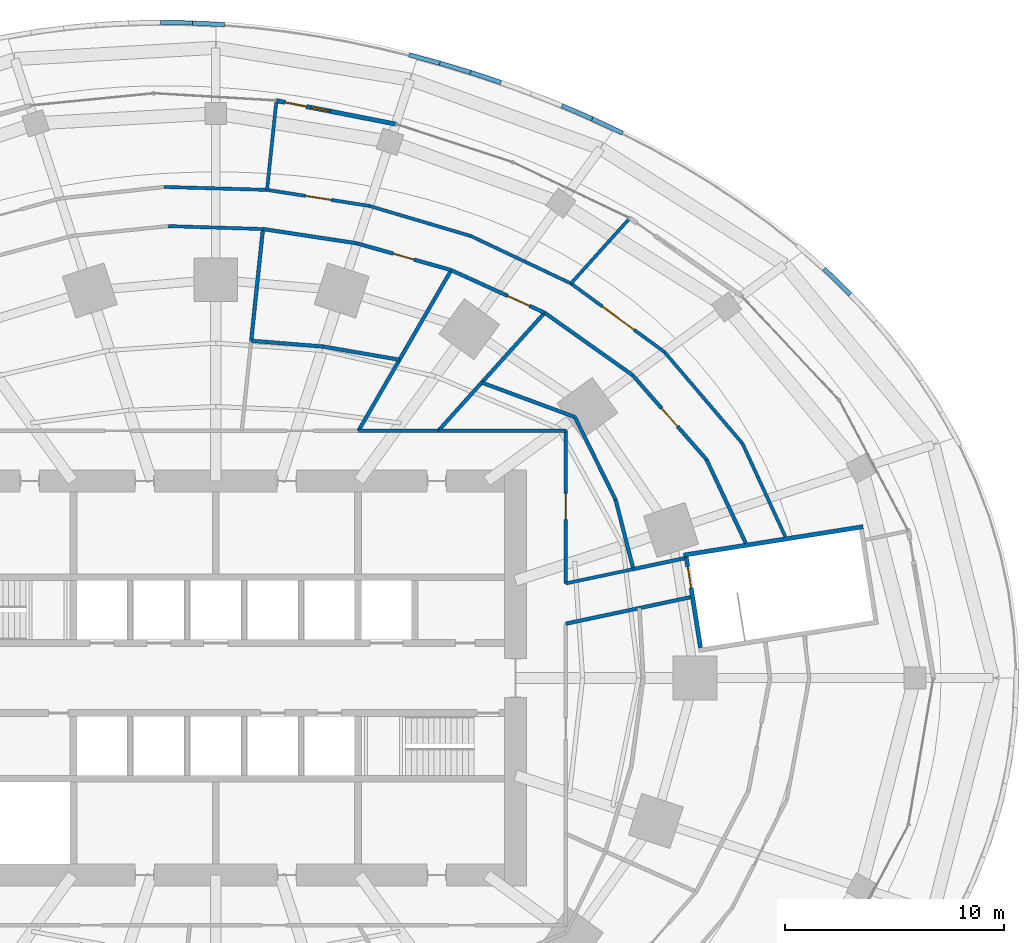
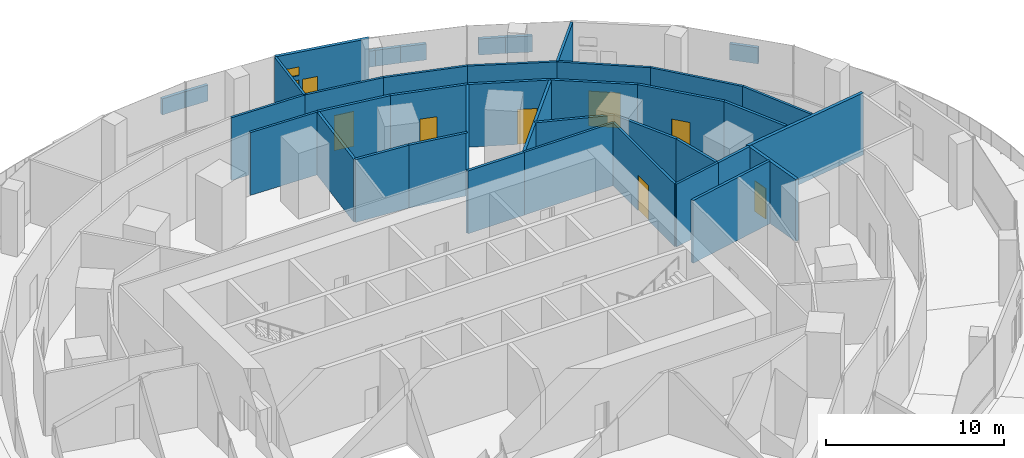
# One storey, part 21 of 26: 41 walls, 8 doors, 2 windows, 10 openings.
"""IFC4 building model written with IfcOpenShell, lengths in metres."""

from ifc_helpers import new_model, si_unit, direction, frame, frame_2d, origin, place, context, subcontext, project, spatial, rectangle, extrude, material, layer, layer_set, type_object, element, fill, save


model = new_model("IFC4")

# Units and contexts
model_context = context("Model", 3, precision=1e-05, world=origin(), true_north=direction((0.0, 1.0)))
body_context = subcontext(model_context, "Body", "Model", "MODEL_VIEW")
ifc_project = project(units=[si_unit("LENGTHUNIT", "METRE"), si_unit("AREAUNIT", "SQUARE_METRE"), si_unit("VOLUMEUNIT", "CUBIC_METRE"), si_unit("PLANEANGLEUNIT", "RADIAN"), si_unit("MASSUNIT", "GRAM", prefix="KILO")], contexts=[model_context])

# Site, building, storey
site_placement = place(None, origin())
site = spatial("IfcSite", under=ifc_project, at=site_placement, CompositionType="ELEMENT")
building_placement = place(site_placement, origin())
building = spatial("IfcBuilding", under=site, at=building_placement, Name="Marramba Exchange Tower", CompositionType="ELEMENT")
storey_placement = place(building_placement, frame((0.0, 0.0, 15.10009765625)))
storey = spatial("IfcBuildingStorey", under=building, at=storey_placement, Name="L03", CompositionType="ELEMENT", Elevation=15.10009765625)

# Walls
ifc_material_1 = material(Name="Plasterboard on staggered double steel studs, acoustic insulation", Category="steel")
ifc_layer_1 = layer(ifc_material_1, 0.169921875)
ifc_layer_set_1 = layer_set([ifc_layer_1], Name="Acoustic partition 170")
wall_type_1 = type_object("IfcWallType", Name="Acoustic partition 170", PredefinedType="PARTITIONING", material=ifc_layer_set_1)
wall_1_placement = place(storey_placement, frame((16.0, 2.480712890625, 0.0), z_axis=(0.0, 0.0, 1.0), x_axis=(0.978144448143, 0.207926522038, 0.0)))
element("IfcWall", 1, at=wall_1_placement, inside=storey, type_object=wall_type_1, Name="Acoustic partition L03 59", PredefinedType="PARTITIONING", context=body_context, shape_type="SweptSolid", body=[
    extrude(rectangle(XDim=5.81689453125, YDim=0.169921875, at=frame_2d((2.908447265625, 0.0))), origin(), (0.0, 0.0, 1.0), 4.2998046875),
])
wall_2_placement = place(storey_placement, frame((21.40771484375, 5.470458984375, 0.0), z_axis=(0.0, 0.0, 1.0), x_axis=(-0.978137955861, -0.207957061204, 0.0)))
element("IfcWall", 2, at=wall_2_placement, inside=storey, type_object=wall_type_1, Name="Acoustic partition L03 61", PredefinedType="PARTITIONING", context=body_context, shape_type="SweptSolid", body=[
    extrude(rectangle(XDim=2.376220703125, YDim=0.169921875, at=frame_2d((1.18798828125, 0.0))), origin(), (0.0, 0.0, 1.0), 4.2998046875),
])
wall_3_placement = place(storey_placement, frame((22.425537109375, 9.984619140625, 0.0), z_axis=(0.0, 0.0, 1.0), x_axis=(0.425473889508, -0.904970700822, 0.0)))
element("IfcWall", 3, at=wall_3_placement, inside=storey, type_object=wall_type_1, Name="Acoustic partition L03 64", PredefinedType="PARTITIONING", context=body_context, shape_type="SweptSolid", body=[
    extrude(rectangle(XDim=4.220947265625, YDim=0.169921875, at=frame_2d((2.1103515625, 0.0))), origin(), (0.0, 0.0, 1.0), 4.2998046875),
])
wall_4_placement = place(storey_placement, frame((18.27587890625, 8.136962890625, 0.0), z_axis=(0.0, 0.0, 1.0), x_axis=(0.247568605717, -0.968870365665, 0.0)))
element("IfcWall", 4, at=wall_4_placement, inside=storey, type_object=wall_type_1, Name="Acoustic partition L03 65", PredefinedType="PARTITIONING", context=body_context, shape_type="SweptSolid", body=[
    extrude(rectangle(XDim=3.26220703125, YDim=0.169921875, at=frame_2d((1.631103515625, 0.0))), origin(), (0.0, 0.0, 1.0), 4.2998046875),
])

# Wall, opening, door
wall_5_placement = place(storey_placement, frame((19.04931640625, 13.840087890625, 0.0), z_axis=(0.0, 0.0, 1.0), x_axis=(0.658801352576, -0.752316939756, 0.0)))
wall_5 = element("IfcWall", 5, at=wall_5_placement, inside=storey, type_object=wall_type_1, Name="Acoustic partition L03 67", PredefinedType="PARTITIONING", context=body_context, shape_type="SweptSolid", body=[
    extrude(rectangle(XDim=5.124755859375, YDim=0.169921875, at=frame_2d((2.5625, 0.0))), origin(), (0.0, 0.0, 1.0), 4.2998046875),
])
opening_1_placement = place(wall_5_placement, frame((2.011962890625, 0.0, 0.0)))
opening_1 = element("IfcOpeningElement", 6, at=opening_1_placement, cuts=wall_5, Name="Opening D15", PredefinedType="OPENING", context=body_context, shape_type="SweptSolid", body=[
    extrude(rectangle(XDim=1.10009765625, YDim=2.39990234375, at=frame_2d((0.550048828125, 1.199951171875))), frame((0.0, 0.094970703125, 0.0), z_axis=(0.0, -1.0, 0.0), x_axis=(1.0, 0.0, 0.0)), (0.0, 0.0, 1.0), 0.18994140625),
])
ifc_material_2 = material(Name="Timber door", Category="wood")
door_type_1 = type_object("IfcDoorType", Name="Glazed meeting room door 1100x2400", OperationType="SINGLE_SWING_LEFT", PredefinedType="DOOR", material=ifc_material_2)
door_1_placement = place(opening_1_placement, origin())
door_1 = element("IfcDoor", 7, at=door_1_placement, inside=storey, type_object=door_type_1, Name="D15 Meeting Room 4 L03", OperationType="SINGLE_SWING_RIGHT", OverallHeight=2.39990234375, OverallWidth=1.10009765625, PredefinedType="DOOR", context=body_context, shape_type="SweptSolid", body=[
    extrude(rectangle(XDim=1.10009765625, YDim=2.39990234375, at=frame_2d((0.550048828125, 1.199951171875))), frame((0.0, 0.02490234375, 0.0), z_axis=(0.0, -1.0, 0.0), x_axis=(1.0, 0.0, 0.0)), (0.0, 0.0, 1.0), 0.050048828125),
])
fill(opening_1, door_1)

# Walls
wall_6_placement = place(storey_placement, frame((16.41259765625, 11.924560546875, 0.0), z_axis=(0.0, 0.0, 1.0), x_axis=(0.44142043443, -0.897300395669, 0.0)))
element("IfcWall", 8, at=wall_6_placement, inside=storey, type_object=wall_type_1, Name="Acoustic partition L03 69", PredefinedType="PARTITIONING", context=body_context, shape_type="SweptSolid", body=[
    extrude(rectangle(XDim=4.22119140625, YDim=0.169921875, at=frame_2d((2.110595703125, 0.0))), origin(), (0.0, 0.0, 1.0), 4.2998046875),
])
wall_7_placement = place(storey_placement, frame((12.15576171875, 13.500244140625, 0.0), z_axis=(0.0, 0.0, 1.0), x_axis=(0.937814922048, -0.34713566798, 0.0)))
element("IfcWall", 9, at=wall_7_placement, inside=storey, type_object=wall_type_1, Name="Acoustic partition L03 71", PredefinedType="PARTITIONING", context=body_context, shape_type="SweptSolid", body=[
    extrude(rectangle(XDim=4.5390625, YDim=0.169921875, at=frame_2d((2.26953125, 0.0))), origin(), (0.0, 0.0, 1.0), 4.2998046875),
])
wall_8_placement = place(storey_placement, frame((15.029296875, 16.69189453125, 0.0), z_axis=(0.0, 0.0, 1.0), x_axis=(0.815613464498, -0.578597162566, 0.0)))
element("IfcWall", 10, at=wall_8_placement, inside=storey, type_object=wall_type_1, Name="Acoustic partition L03 72", PredefinedType="PARTITIONING", context=body_context, shape_type="SweptSolid", body=[
    extrude(rectangle(XDim=4.9287109375, YDim=0.169921875, at=frame_2d((2.46435546875, 0.0))), origin(), (0.0, 0.0, 1.0), 4.2998046875),
])
wall_9_placement = place(storey_placement, frame((15.029296875, 16.69189453125, 0.0), z_axis=(0.0, 0.0, 1.0), x_axis=(-0.669122739593, -0.74315190867, 0.0)))
element("IfcWall", 11, at=wall_9_placement, inside=storey, type_object=wall_type_1, Name="Acoustic partition L03 74", PredefinedType="PARTITIONING", context=body_context, shape_type="SweptSolid", body=[
    extrude(rectangle(XDim=7.25537109375, YDim=0.169921875, at=frame_2d((3.627685546875, 0.0))), origin(), (0.0, 0.0, 1.0), 4.2998046875),
])
wall_10_placement = place(storey_placement, frame((10.174560546875, 11.300048828125, 0.0), z_axis=(0.0, 0.0, 1.0), x_axis=(-1.0, 0.0, 0.0)))
element("IfcWall", 12, at=wall_10_placement, inside=storey, type_object=wall_type_1, Name="Acoustic partition L03 76", PredefinedType="PARTITIONING", context=body_context, shape_type="SweptSolid", body=[
    extrude(rectangle(XDim=3.650390625, YDim=0.169921875, at=frame_2d((1.8251953125, 0.0))), origin(), (0.0, 0.0, 1.0), 4.2998046875),
])

# Wall, opening, door
wall_11_placement = place(storey_placement, frame((10.760986328125, 18.638671875, 0.0), z_axis=(0.0, 0.0, 1.0), x_axis=(0.909832836999, -0.414974949507, 0.0)))
wall_11 = element("IfcWall", 13, at=wall_11_placement, inside=storey, type_object=wall_type_1, Name="Acoustic partition L03 77", PredefinedType="PARTITIONING", context=body_context, shape_type="SweptSolid", body=[
    extrude(rectangle(XDim=4.69140625, YDim=0.169921875, at=frame_2d((2.345703125, 0.0))), origin(), (0.0, 0.0, 1.0), 4.2998046875),
])
opening_2_placement = place(wall_11_placement, frame((2.8359375, 0.0, 0.0)))
opening_2 = element("IfcOpeningElement", 14, at=opening_2_placement, cuts=wall_11, Name="Opening D15", PredefinedType="OPENING", context=body_context, shape_type="SweptSolid", body=[
    extrude(rectangle(XDim=1.10009765625, YDim=2.39990234375, at=frame_2d((0.550048828125, 1.199951171875))), frame((0.0, 0.094970703125, 0.0), z_axis=(0.0, -1.0, 0.0), x_axis=(1.0, 0.0, 0.0)), (0.0, 0.0, 1.0), 0.18994140625),
])
door_2_placement = place(opening_2_placement, frame((1.10009765625, 0.0, 0.0), z_axis=(0.0, 0.0, 1.0), x_axis=(-1.0, 0.0, 0.0)))
door_2 = element("IfcDoor", 15, at=door_2_placement, inside=storey, type_object=door_type_1, Name="D15 Meeting Room 1 L03", OperationType="SINGLE_SWING_LEFT", OverallHeight=2.39990234375, OverallWidth=1.10009765625, PredefinedType="DOOR", context=body_context, shape_type="SweptSolid", body=[
    extrude(rectangle(XDim=1.10009765625, YDim=2.39990234375, at=frame_2d((0.550048828125, 1.199951171875))), frame((0.0, 0.025146484375, 0.0), z_axis=(0.0, -1.0, 0.0), x_axis=(1.0, 0.0, 0.0)), (0.0, 0.0, 1.0), 0.050048828125),
])
fill(opening_2, door_2)

# Walls
wall_12_placement = place(storey_placement, frame((6.524169921875, 11.300048828125, 0.0), z_axis=(0.0, 0.0, 1.0), x_axis=(0.499987645576, 0.866032536497, 0.0)))
element("IfcWall", 16, at=wall_12_placement, inside=storey, type_object=wall_type_1, Name="Acoustic partition L03 79", PredefinedType="PARTITIONING", context=body_context, shape_type="SweptSolid", body=[
    extrude(rectangle(XDim=8.473876953125, YDim=0.169921875, at=frame_2d((4.23681640625, 0.0))), origin(), (0.0, 0.0, 1.0), 4.2998046875),
])
wall_13_placement = place(storey_placement, frame((4.9208984375, 15.145263671875, 0.0), z_axis=(0.0, 0.0, 1.0), x_axis=(0.985365262951, -0.170456148522, 0.0)))
element("IfcWall", 17, at=wall_13_placement, inside=storey, type_object=wall_type_1, Name="Acoustic partition L03 80", PredefinedType="PARTITIONING", context=body_context, shape_type="SweptSolid", body=[
    extrude(rectangle(XDim=3.527587890625, YDim=0.169921875, at=frame_2d((1.763671875, 0.0))), origin(), (0.0, 0.0, 1.0), 4.2998046875),
])

# Wall, opening, door
wall_14_placement = place(storey_placement, frame((6.4541015625, 19.86376953125, 0.0), z_axis=(0.0, 0.0, 1.0), x_axis=(0.96184425832, -0.273597556162, 0.0)))
wall_14 = element("IfcWall", 18, at=wall_14_placement, inside=storey, type_object=wall_type_1, Name="Acoustic partition L03 81", PredefinedType="PARTITIONING", context=body_context, shape_type="SweptSolid", body=[
    extrude(rectangle(XDim=4.477783203125, YDim=0.169921875, at=frame_2d((2.23876953125, 0.0))), origin(), (0.0, 0.0, 1.0), 4.2998046875),
])
opening_3_placement = place(wall_14_placement, frame((1.714111328125, 0.0, 0.0)))
opening_3 = element("IfcOpeningElement", 19, at=opening_3_placement, cuts=wall_14, Name="Opening D9", PredefinedType="OPENING", context=body_context, shape_type="SweptSolid", body=[
    extrude(rectangle(XDim=1.0, YDim=2.39990234375, at=frame_2d((0.5, 1.199951171875))), frame((0.0, 0.094970703125, 0.0), z_axis=(0.0, -1.0, 0.0), x_axis=(1.0, 0.0, 0.0)), (0.0, 0.0, 1.0), 0.18994140625),
])
door_type_2 = type_object("IfcDoorType", Name="Room door 1000x2400", OperationType="SINGLE_SWING_LEFT", PredefinedType="DOOR", material=ifc_material_2)
door_3_placement = place(opening_3_placement, frame((1.0, 0.0, 0.0), z_axis=(0.0, 0.0, 1.0), x_axis=(-1.0, 0.0, 0.0)))
door_3 = element("IfcDoor", 20, at=door_3_placement, inside=storey, type_object=door_type_2, Name="D9 Quiet Room 3 L03", OperationType="SINGLE_SWING_LEFT", OverallHeight=2.39990234375, OverallWidth=1.0, PredefinedType="DOOR", context=body_context, shape_type="SweptSolid", body=[
    extrude(rectangle(XDim=1.0, YDim=2.39990234375, at=frame_2d((0.5, 1.199951171875))), frame((0.0, 0.025146484375, 0.0), z_axis=(0.0, -1.0, 0.0), x_axis=(1.0, 0.0, 0.0)), (0.0, 0.0, 1.0), 0.050048828125),
])
fill(opening_3, door_3)

# Walls
wall_15_placement = place(storey_placement, frame((1.619873046875, 15.410888671875, 0.0), z_axis=(0.0, 0.0, 1.0), x_axis=(0.996778134856, -0.08020816587, 0.0)))
element("IfcWall", 21, at=wall_15_placement, inside=storey, type_object=wall_type_1, Name="Acoustic partition L03 83", PredefinedType="PARTITIONING", context=body_context, shape_type="SweptSolid", body=[
    extrude(rectangle(XDim=3.311767578125, YDim=0.169921875, at=frame_2d((1.65576171875, 0.0))), origin(), (0.0, 0.0, 1.0), 4.2998046875),
])
wall_16_placement = place(storey_placement, frame((2.156494140625, 20.517333984375, 0.0), z_axis=(0.0, 0.0, 1.0), x_axis=(0.988633178346, -0.150347725867, 0.0)))
element("IfcWall", 22, at=wall_16_placement, inside=storey, type_object=wall_type_1, Name="Acoustic partition L03 84", PredefinedType="PARTITIONING", context=body_context, shape_type="SweptSolid", body=[
    extrude(rectangle(XDim=4.346923828125, YDim=0.169921875, at=frame_2d((2.17333984375, 0.0))), origin(), (0.0, 0.0, 1.0), 4.2998046875),
])
wall_17_placement = place(storey_placement, frame((2.156494140625, 20.517333984375, 0.0), z_axis=(0.0, 0.0, 1.0), x_axis=(-0.104511524142, -0.994523675596, 0.0)))
element("IfcWall", 23, at=wall_17_placement, inside=storey, type_object=wall_type_1, Name="Acoustic partition L03 87", PredefinedType="PARTITIONING", context=body_context, shape_type="SweptSolid", body=[
    extrude(rectangle(XDim=5.134521484375, YDim=0.169921875, at=frame_2d((2.5673828125, 0.0))), origin(), (0.0, 0.0, 1.0), 4.2998046875),
])

# Wall, openings, door, windows
ifc_material_3 = material(Name="Aluminium-framed bronze cladding on steel studs", Category="steel")
ifc_layer_2 = layer(ifc_material_3, 0.199951171875)
ifc_layer_set_2 = layer_set([ifc_layer_2], Name="Door screen wall 200")
wall_type_2 = type_object("IfcWallType", Name="Door screen wall 200", PredefinedType="SOLIDWALL", material=ifc_layer_set_2)
wall_18_placement = place(storey_placement, frame((8.224609375, 25.3125, 0.0), z_axis=(0.0, 0.0, 1.0), x_axis=(-0.981250898219, 0.192734726359, 0.0)))
wall_18 = element("IfcWall", 24, at=wall_18_placement, inside=storey, type_object=wall_type_2, Name="Door screen L03 F07", PredefinedType="SOLIDWALL", context=body_context, shape_type="SweptSolid", body=[
    extrude(rectangle(XDim=5.555908203125, YDim=0.199951171875, at=frame_2d((2.77783203125, 0.0))), origin(), (0.0, 0.0, 1.0), 4.2998046875),
])
opening_4_placement = place(wall_18_placement, frame((4.15576171875, 0.0, 0.0)))
opening_4 = element("IfcOpeningElement", 25, at=opening_4_placement, cuts=wall_18, Name="Opening D6", PredefinedType="OPENING", context=body_context, shape_type="SweptSolid", body=[
    extrude(rectangle(XDim=1.0, YDim=2.39990234375, at=frame_2d((0.5, 1.199951171875))), frame((0.0, 0.10986328125, 0.0), z_axis=(0.0, -1.0, 0.0), x_axis=(1.0, 0.0, 0.0)), (0.0, 0.0, 1.0), 0.219970703125),
])
opening_5_placement = place(wall_18_placement, frame((3.0556640625, 0.0, 0.300048828125)))
opening_5 = element("IfcOpeningElement", 26, at=opening_5_placement, cuts=wall_18, Name="Opening W4", PredefinedType="OPENING", context=body_context, shape_type="SweptSolid", body=[
    extrude(rectangle(XDim=0.89990234375, YDim=2.10009765625, at=frame_2d((0.449951171875, 1.050048828125))), frame((0.0, 0.10986328125, 0.0), z_axis=(0.0, -1.0, 0.0), x_axis=(1.0, 0.0, 0.0)), (0.0, 0.0, 1.0), 0.219970703125),
])
opening_6_placement = place(wall_18_placement, frame((4.15576171875, 0.0, 2.699951171875)))
opening_6 = element("IfcOpeningElement", 27, at=opening_6_placement, cuts=wall_18, Name="Opening W5", PredefinedType="OPENING", context=body_context, shape_type="SweptSolid", body=[
    extrude(rectangle(XDim=1.0, YDim=0.60009765625, at=frame_2d((0.5, 0.300048828125))), frame((0.0, 0.10986328125, 0.0), z_axis=(0.0, -1.0, 0.0), x_axis=(1.0, 0.0, 0.0)), (0.0, 0.0, 1.0), 0.219970703125),
])
ifc_material_4 = material(Name="Aluminium-framed glazed door, bronze", Category="aluminium")
door_type_3 = type_object("IfcDoorType", Name="Terrace door 1000x2400", OperationType="SINGLE_SWING_LEFT", PredefinedType="DOOR", material=ifc_material_4)
door_4_placement = place(opening_4_placement, frame((1.0, 0.0, 0.0), z_axis=(0.0, 0.0, 1.0), x_axis=(-1.0, 0.0, 0.0)))
door_4 = element("IfcDoor", 28, at=door_4_placement, inside=storey, type_object=door_type_3, Name="D6 L03", OperationType="SINGLE_SWING_RIGHT", OverallHeight=2.39990234375, OverallWidth=1.0, PredefinedType="DOOR", context=body_context, shape_type="SweptSolid", body=[
    extrude(rectangle(XDim=1.0, YDim=2.39990234375, at=frame_2d((0.5, 1.199951171875))), frame((0.0, 0.025146484375, 0.0), z_axis=(0.0, -1.0, 0.0), x_axis=(1.0, 0.0, 0.0)), (0.0, 0.0, 1.0), 0.050048828125),
])
fill(opening_4, door_4)
ifc_material_5 = material(Name="Aluminium-framed fixed light, bronze, double glazed", Category="aluminium")
window_type_1 = type_object("IfcWindowType", Name="Terrace sidelight 900x2100", PartitioningType="SINGLE_PANEL", PredefinedType="WINDOW", material=ifc_material_5)
window_1_placement = place(opening_5_placement, origin())
window_1 = element("IfcWindow", 29, at=window_1_placement, inside=storey, type_object=window_type_1, Name="W4 L03 F07 left", OverallHeight=2.10009765625, OverallWidth=0.89990234375, PartitioningType="SINGLE_PANEL", PredefinedType="WINDOW", context=body_context, shape_type="SweptSolid", body=[
    extrude(rectangle(XDim=0.89990234375, YDim=2.10009765625, at=frame_2d((0.449951171875, 1.050048828125))), frame((0.0, 0.030029296875, 0.0), z_axis=(0.0, -1.0, 0.0), x_axis=(1.0, 0.0, 0.0)), (0.0, 0.0, 1.0), 0.06005859375),
])
fill(opening_5, window_1)
window_type_2 = type_object("IfcWindowType", Name="Terrace transom light 1000x600", PartitioningType="SINGLE_PANEL", PredefinedType="WINDOW", material=ifc_material_5)
window_2_placement = place(opening_6_placement, origin())
window_2 = element("IfcWindow", 30, at=window_2_placement, inside=storey, type_object=window_type_2, Name="W5 L03 F07 over the door", OverallHeight=0.60009765625, OverallWidth=1.0, PartitioningType="SINGLE_PANEL", PredefinedType="WINDOW", context=body_context, shape_type="SweptSolid", body=[
    extrude(rectangle(XDim=1.0, YDim=0.60009765625, at=frame_2d((0.5, 0.300048828125))), frame((0.0, 0.030029296875, 0.0), z_axis=(0.0, -1.0, 0.0), x_axis=(1.0, 0.0, 0.0)), (0.0, 0.0, 1.0), 0.06005859375),
])
fill(opening_6, window_2)

# Walls
ifc_material_6 = material(Name="Concrete N40", Category="concrete")
ifc_layer_3 = layer(ifc_material_6, 0.199951171875)
ifc_layer_set_3 = layer_set([ifc_layer_3], Name="Roof parapet 200")
wall_type_3 = type_object("IfcWallType", Name="Roof parapet 200", PredefinedType="PARAPET", material=ifc_layer_set_3)
wall_19_placement = place(storey_placement, frame((28.99755859375, 17.537109375, 0.0), z_axis=(0.0, 0.0, 1.0), x_axis=(-0.717993436891, 0.696049872194, 0.0)))
element("IfcWall", 31, at=wall_19_placement, inside=storey, type_object=wall_type_3, Name="Parapet L03 bay 02", PredefinedType="PARAPET", context=body_context, shape_type="SweptSolid", body=[
    extrude(rectangle(XDim=1.6689453125, YDim=0.199951171875, at=frame_2d((0.83447265625, 0.0))), origin(), (0.0, 0.0, 1.0), 1.099853515625),
])
wall_20_placement = place(storey_placement, frame((18.584716796875, 24.900146484375, 0.0), z_axis=(0.0, 0.0, 1.0), x_axis=(-0.904481611799, 0.426512618709, 0.0)))
element("IfcWall", 32, at=wall_20_placement, inside=storey, type_object=wall_type_3, Name="Parapet L03 bay 04", PredefinedType="PARAPET", context=body_context, shape_type="SweptSolid", body=[
    extrude(rectangle(XDim=1.52783203125, YDim=0.199951171875, at=frame_2d((0.763916015625, 0.0))), origin(), (0.0, 0.0, 1.0), 1.099853515625),
])
wall_21_placement = place(storey_placement, frame((17.202880859375, 25.5517578125, 0.0), z_axis=(0.0, 0.0, 1.0), x_axis=(-0.917549730741, 0.39762104021, 0.0)))
element("IfcWall", 33, at=wall_21_placement, inside=storey, type_object=wall_type_3, Name="Parapet L03 bay 04", PredefinedType="PARAPET", context=body_context, shape_type="SweptSolid", body=[
    extrude(rectangle(XDim=1.510986328125, YDim=0.199951171875, at=frame_2d((0.75537109375, 0.0))), origin(), (0.0, 0.0, 1.0), 1.099853515625),
])
wall_22_placement = place(storey_placement, frame((13.033447265625, 27.2119140625, 0.0), z_axis=(0.0, 0.0, 1.0), x_axis=(-0.949196557005, 0.314683803476, 0.0)))
element("IfcWall", 34, at=wall_22_placement, inside=storey, type_object=wall_type_3, Name="Parapet L03 bay 04", PredefinedType="PARAPET", context=body_context, shape_type="SweptSolid", body=[
    extrude(rectangle(XDim=1.470947265625, YDim=0.199951171875, at=frame_2d((0.7353515625, 0.0))), origin(), (0.0, 0.0, 1.0), 1.099853515625),
])
wall_23_placement = place(storey_placement, frame((11.63720703125, 27.6748046875, 0.0), z_axis=(0.0, 0.0, 1.0), x_axis=(-0.957683640583, 0.2878229396, 0.0)))
element("IfcWall", 35, at=wall_23_placement, inside=storey, type_object=wall_type_3, Name="Parapet L03 bay 04", PredefinedType="PARAPET", context=body_context, shape_type="SweptSolid", body=[
    extrude(rectangle(XDim=1.46142578125, YDim=0.199951171875, at=frame_2d((0.730712890625, 0.0))), origin(), (0.0, 0.0, 1.0), 1.099853515625),
])
wall_24_placement = place(storey_placement, frame((10.237548828125, 28.095458984375, 0.0), z_axis=(0.0, 0.0, 1.0), x_axis=(-0.965419365496, 0.260701838744, 0.0)))
element("IfcWall", 36, at=wall_24_placement, inside=storey, type_object=wall_type_3, Name="Parapet L03 bay 04", PredefinedType="PARAPET", context=body_context, shape_type="SweptSolid", body=[
    extrude(rectangle(XDim=1.454345703125, YDim=0.199951171875, at=frame_2d((0.72705078125, 0.0))), origin(), (0.0, 0.0, 1.0), 1.099853515625),
])
wall_25_placement = place(storey_placement, frame((0.398193359375, 29.854248046875, 0.0), z_axis=(0.0, 0.0, 1.0), x_axis=(-0.998632601242, 0.05227741134, 0.0)))
element("IfcWall", 37, at=wall_25_placement, inside=storey, type_object=wall_type_3, Name="Parapet L03 bay 06", PredefinedType="PARAPET", context=body_context, shape_type="SweptSolid", body=[
    extrude(rectangle(XDim=1.45703125, YDim=0.199951171875, at=frame_2d((0.728515625, 0.0))), origin(), (0.0, 0.0, 1.0), 1.099853515625),
])
wall_26_placement = place(storey_placement, frame((-1.056884765625, 29.930419921875, 0.0), z_axis=(0.0, 0.0, 1.0), x_axis=(-0.999846552409, 0.017517752045, 0.0)))
element("IfcWall", 38, at=wall_26_placement, inside=storey, type_object=wall_type_3, Name="Parapet L03 bay 06", PredefinedType="PARAPET", context=body_context, shape_type="SweptSolid", body=[
    extrude(rectangle(XDim=1.46337890625, YDim=0.199951171875, at=frame_2d((0.731689453125, 0.0))), origin(), (0.0, 0.0, 1.0), 1.099853515625),
])
ifc_layer_4 = layer(ifc_material_6, 0.199951171875)
ifc_layer_set_4 = layer_set([ifc_layer_4], Name="Stair core wall 200 N40")
wall_type_4 = type_object("IfcWallType", Name="Stair core wall 200 N40", PredefinedType="SOLIDWALL", material=ifc_layer_set_4)
wall_27_placement = place(storey_placement, frame((21.385009765625, 5.614501953125, 0.0), z_axis=(0.0, 0.0, 1.0), x_axis=(0.987689398324, 0.156427786655, 0.0)))
element("IfcWall", 39, at=wall_27_placement, inside=storey, type_object=wall_type_4, Name="Stair shaft wall ST4 L03 N", PredefinedType="SOLIDWALL", context=body_context, shape_type="SweptSolid", body=[
    extrude(rectangle(XDim=8.300048828125, YDim=0.199951171875, at=frame_2d((4.14990234375, 0.0))), origin(), (0.0, 0.0, 1.0), 4.25),
])

# Wall, opening, door
wall_28_placement = place(storey_placement, frame((22.156494140625, 1.383056640625, 0.0), z_axis=(0.0, 0.0, 1.0), x_axis=(-0.156428225752, 0.987689328781, 0.0)))
wall_28 = element("IfcWall", 40, at=wall_28_placement, inside=storey, type_object=wall_type_4, Name="Stair shaft wall ST4 L03 W", PredefinedType="SOLIDWALL", context=body_context, shape_type="SweptSolid", body=[
    extrude(rectangle(XDim=4.199951171875, YDim=0.199951171875, at=frame_2d((2.10009765625, 0.0))), origin(), (0.0, 0.0, 1.0), 4.25),
])
opening_7_placement = place(wall_28_placement, frame((2.760009765625, 0.0, 0.0)))
opening_7 = element("IfcOpeningElement", 41, at=opening_7_placement, cuts=wall_28, Name="Opening D2", PredefinedType="OPENING", context=body_context, shape_type="SweptSolid", body=[
    extrude(rectangle(XDim=1.0, YDim=2.10009765625, at=frame_2d((0.5, 1.050048828125))), frame((0.0, 0.10986328125, 0.0), z_axis=(0.0, -1.0, 0.0), x_axis=(1.0, 0.0, 0.0)), (0.0, 0.0, 1.0), 0.219970703125),
])
ifc_material_7 = material(Name="Steel-framed door", Category="steel")
door_type_4 = type_object("IfcDoorType", Name="Stair door 1000x2100", OperationType="SINGLE_SWING_LEFT", PredefinedType="DOOR", material=ifc_material_7)
door_5_placement = place(opening_7_placement, frame((1.0, 0.0, 0.0), z_axis=(0.0, 0.0, 1.0), x_axis=(-1.0, 0.0, 0.0)))
door_5 = element("IfcDoor", 42, at=door_5_placement, inside=storey, type_object=door_type_4, Name="D2 stair ST4 L03", OperationType="SINGLE_SWING_LEFT", OverallHeight=2.10009765625, OverallWidth=1.0, PredefinedType="DOOR", context=body_context, shape_type="SweptSolid", body=[
    extrude(rectangle(XDim=1.0, YDim=2.10009765625, at=frame_2d((0.5, 1.050048828125))), frame((0.0, 0.025146484375, 0.0), z_axis=(0.0, -1.0, 0.0), x_axis=(1.0, 0.0, 0.0)), (0.0, 0.0, 1.0), 0.050048828125),
])
fill(opening_7, door_5)

# Walls
ifc_material_8 = material(Name="Fire-rated plasterboard on steel studs, acoustic insulation", Category="steel")
ifc_layer_5 = layer(ifc_material_8, 0.14990234375)
ifc_layer_set_5 = layer_set([ifc_layer_5], Name="Tenancy wall 150")
wall_type_5 = type_object("IfcWallType", Name="Tenancy wall 150", PredefinedType="PARTITIONING", material=ifc_layer_set_5)
wall_29_placement = place(storey_placement, frame((19.08349609375, 4.976318359375, 0.0), z_axis=(0.0, 0.0, 1.0), x_axis=(-0.978156882567, -0.207868018433, 0.0)))
element("IfcWall", 43, at=wall_29_placement, inside=storey, type_object=wall_type_5, Name="Tenancy wall L03 62", PredefinedType="PARTITIONING", context=body_context, shape_type="SweptSolid", body=[
    extrude(rectangle(XDim=3.15234375, YDim=0.14990234375, at=frame_2d((1.576171875, 0.0))), origin(), (0.0, 0.0, 1.0), 4.2998046875),
])
wall_30_placement = place(storey_placement, frame((26.03173828125, 6.45166015625, 0.0), z_axis=(0.0, 0.0, 1.0), x_axis=(-0.417854101211, 0.908514144139, 0.0)))
element("IfcWall", 44, at=wall_30_placement, inside=storey, type_object=wall_type_5, Name="Tenancy wall L03 63", PredefinedType="PARTITIONING", context=body_context, shape_type="SweptSolid", body=[
    extrude(rectangle(XDim=4.694580078125, YDim=0.14990234375, at=frame_2d((2.34716796875, 0.0))), origin(), (0.0, 0.0, 1.0), 4.2998046875),
])

# Wall, opening, door
wall_31_placement = place(storey_placement, frame((16.0, 4.321044921875, 0.0), z_axis=(0.0, 0.0, 1.0), x_axis=(0.0, 1.0, 0.0)))
wall_31 = element("IfcWall", 45, at=wall_31_placement, inside=storey, type_object=wall_type_5, Name="Tenancy wall L03 66", PredefinedType="PARTITIONING", context=body_context, shape_type="SweptSolid", body=[
    extrude(rectangle(XDim=6.97900390625, YDim=0.14990234375, at=frame_2d((3.489501953125, 0.0))), origin(), (0.0, 0.0, 1.0), 4.2998046875),
])
opening_8_placement = place(wall_31_placement, frame((2.9150390625, 0.0, 0.0)))
opening_8 = element("IfcOpeningElement", 46, at=opening_8_placement, cuts=wall_31, Name="Opening D13", PredefinedType="OPENING", context=body_context, shape_type="SweptSolid", body=[
    extrude(rectangle(XDim=1.199951171875, YDim=2.39990234375, at=frame_2d((0.60009765625, 1.199951171875))), frame((0.0, 0.0849609375, 0.0), z_axis=(0.0, -1.0, 0.0), x_axis=(1.0, 0.0, 0.0)), (0.0, 0.0, 1.0), 0.169921875),
])
door_type_5 = type_object("IfcDoorType", Name="Tenancy entry door 1200x2400", OperationType="SINGLE_SWING_LEFT", PredefinedType="DOOR", material=ifc_material_7)
door_6_placement = place(opening_8_placement, frame((1.199951171875, 0.0, 0.0), z_axis=(0.0, 0.0, 1.0), x_axis=(-1.0, 0.0, 0.0)))
door_6 = element("IfcDoor", 47, at=door_6_placement, inside=storey, type_object=door_type_5, Name="D13 Servery L03", OperationType="SINGLE_SWING_RIGHT", OverallHeight=2.39990234375, OverallWidth=1.199951171875, PredefinedType="DOOR", context=body_context, shape_type="SweptSolid", body=[
    extrude(rectangle(XDim=1.199951171875, YDim=2.39990234375, at=frame_2d((0.599853515625, 1.199951171875))), frame((0.0, 0.025146484375, 0.0), z_axis=(0.0, -1.0, 0.0), x_axis=(1.0, 0.0, 0.0)), (0.0, 0.0, 1.0), 0.050048828125),
])
fill(opening_8, door_6)

# Walls
wall_32_placement = place(storey_placement, frame((24.070068359375, 10.716796875, 0.0), z_axis=(0.0, 0.0, 1.0), x_axis=(-0.648732488568, 0.761016529569, 0.0)))
element("IfcWall", 48, at=wall_32_placement, inside=storey, type_object=wall_type_5, Name="Tenancy wall L03 68", PredefinedType="PARTITIONING", context=body_context, shape_type="SweptSolid", body=[
    extrude(rectangle(XDim=5.494384765625, YDim=0.14990234375, at=frame_2d((2.7470703125, 0.0))), origin(), (0.0, 0.0, 1.0), 4.2998046875),
])
wall_33_placement = place(storey_placement, frame((16.0, 11.300048828125, 0.0), z_axis=(0.0, 0.0, 1.0), x_axis=(-1.0, 0.0, 0.0)))
element("IfcWall", 49, at=wall_33_placement, inside=storey, type_object=wall_type_5, Name="Tenancy wall L03 70", PredefinedType="PARTITIONING", context=body_context, shape_type="SweptSolid", body=[
    extrude(rectangle(XDim=5.825439453125, YDim=0.14990234375, at=frame_2d((2.91259765625, 0.0))), origin(), (0.0, 0.0, 1.0), 4.2998046875),
])

# Wall, opening, door
wall_34_placement = place(storey_placement, frame((20.505615234375, 14.898193359375, 0.0), z_axis=(0.0, 0.0, 1.0), x_axis=(-0.806517819775, 0.591209782045, 0.0)))
wall_34 = element("IfcWall", 50, at=wall_34_placement, inside=storey, type_object=wall_type_5, Name="Tenancy wall L03 73", PredefinedType="PARTITIONING", context=body_context, shape_type="SweptSolid", body=[
    extrude(rectangle(XDim=5.29638671875, YDim=0.14990234375, at=frame_2d((2.648193359375, 0.0))), origin(), (0.0, 0.0, 1.0), 4.2998046875),
])
opening_9_placement = place(wall_34_placement, frame((1.722900390625, 0.0, 0.0)))
opening_9 = element("IfcOpeningElement", 51, at=opening_9_placement, cuts=wall_34, Name="Opening D18", PredefinedType="OPENING", context=body_context, shape_type="SweptSolid", body=[
    extrude(rectangle(XDim=1.800048828125, YDim=2.39990234375, at=frame_2d((0.89990234375, 1.199951171875))), frame((0.0, 0.0849609375, 0.0), z_axis=(0.0, -1.0, 0.0), x_axis=(1.0, 0.0, 0.0)), (0.0, 0.0, 1.0), 0.169921875),
])
door_type_6 = type_object("IfcDoorType", Name="Door pair 1800x2400", OperationType="DOUBLE_DOOR_SINGLE_SWING", PredefinedType="DOOR", material=ifc_material_7)
door_7_placement = place(opening_9_placement, origin())
door_7 = element("IfcDoor", 52, at=door_7_placement, inside=storey, type_object=door_type_6, Name="D18 Members' Lounge L03", OperationType="DOUBLE_DOOR_SINGLE_SWING", OverallHeight=2.39990234375, OverallWidth=1.800048828125, PredefinedType="DOOR", context=body_context, shape_type="SweptSolid", body=[
    extrude(rectangle(XDim=1.800048828125, YDim=2.39990234375, at=frame_2d((0.89990234375, 1.199951171875))), frame((0.0, 0.02490234375, 0.0), z_axis=(0.0, -1.0, 0.0), x_axis=(1.0, 0.0, 0.0)), (0.0, 0.0, 1.0), 0.050048828125),
])
fill(opening_9, door_7)

# Walls
wall_35_placement = place(storey_placement, frame((16.23388671875, 18.029541015625, 0.0), z_axis=(0.0, 0.0, 1.0), x_axis=(0.669125969655, 0.743149000358, 0.0)))
element("IfcWall", 53, at=wall_35_placement, inside=storey, type_object=wall_type_5, Name="Tenancy wall L03 75", PredefinedType="PARTITIONING", context=body_context, shape_type="SweptSolid", body=[
    extrude(rectangle(XDim=3.931396484375, YDim=0.14990234375, at=frame_2d((1.9658203125, 0.0))), origin(), (0.0, 0.0, 1.0), 4.2998046875),
])
wall_36_placement = place(storey_placement, frame((16.23388671875, 18.029541015625, 0.0), z_axis=(0.0, 0.0, 1.0), x_axis=(-0.90359929016, 0.42837871425, 0.0)))
element("IfcWall", 54, at=wall_36_placement, inside=storey, type_object=wall_type_5, Name="Tenancy wall L03 78", PredefinedType="PARTITIONING", context=body_context, shape_type="SweptSolid", body=[
    extrude(rectangle(XDim=5.060791015625, YDim=0.14990234375, at=frame_2d((2.5302734375, 0.0))), origin(), (0.0, 0.0, 1.0), 4.2998046875),
])
wall_37_placement = place(storey_placement, frame((11.660888671875, 20.197509765625, 0.0), z_axis=(0.0, 0.0, 1.0), x_axis=(-0.958786433203, 0.284127745049, 0.0)))
element("IfcWall", 55, at=wall_37_placement, inside=storey, type_object=wall_type_5, Name="Tenancy wall L03 82", PredefinedType="PARTITIONING", context=body_context, shape_type="SweptSolid", body=[
    extrude(rectangle(XDim=4.8505859375, YDim=0.14990234375, at=frame_2d((2.42529296875, 0.0))), origin(), (0.0, 0.0, 1.0), 4.2998046875),
])

# Wall, opening, door
wall_38_placement = place(storey_placement, frame((7.01025390625, 21.57568359375, 0.0), z_axis=(0.0, 0.0, 1.0), x_axis=(-0.987917974558, 0.154977661437, 0.0)))
wall_38 = element("IfcWall", 56, at=wall_38_placement, inside=storey, type_object=wall_type_5, Name="Tenancy wall L03 85", PredefinedType="PARTITIONING", context=body_context, shape_type="SweptSolid", body=[
    extrude(rectangle(XDim=4.722900390625, YDim=0.14990234375, at=frame_2d((2.361328125, 0.0))), origin(), (0.0, 0.0, 1.0), 4.2998046875),
])
opening_10_placement = place(wall_38_placement, frame((1.760986328125, 0.0, 0.0)))
opening_10 = element("IfcOpeningElement", 57, at=opening_10_placement, cuts=wall_38, Name="Opening D13", PredefinedType="OPENING", context=body_context, shape_type="SweptSolid", body=[
    extrude(rectangle(XDim=1.199951171875, YDim=2.39990234375, at=frame_2d((0.60009765625, 1.199951171875))), frame((0.0, 0.0849609375, 0.0), z_axis=(0.0, -1.0, 0.0), x_axis=(1.0, 0.0, 0.0)), (0.0, 0.0, 1.0), 0.169921875),
])
door_8_placement = place(opening_10_placement, origin())
door_8 = element("IfcDoor", 58, at=door_8_placement, inside=storey, type_object=door_type_5, Name="D13 Member Services Office L03", OperationType="SINGLE_SWING_LEFT", OverallHeight=2.39990234375, OverallWidth=1.199951171875, PredefinedType="DOOR", context=body_context, shape_type="SweptSolid", body=[
    extrude(rectangle(XDim=1.199951171875, YDim=2.39990234375, at=frame_2d((0.60009765625, 1.199951171875))), frame((0.0, 0.02490234375, 0.0), z_axis=(0.0, -1.0, 0.0), x_axis=(1.0, 0.0, 0.0)), (0.0, 0.0, 1.0), 0.050048828125),
])
fill(opening_10, door_8)

# Walls
wall_39_placement = place(storey_placement, frame((2.344482421875, 22.3076171875, 0.0), z_axis=(0.0, 0.0, 1.0), x_axis=(0.104567758594, 0.994517764478, 0.0)))
element("IfcWall", 59, at=wall_39_placement, inside=storey, type_object=wall_type_5, Name="Tenancy wall L03 88", PredefinedType="PARTITIONING", context=body_context, shape_type="SweptSolid", body=[
    extrude(rectangle(XDim=4.01806640625, YDim=0.14990234375, at=frame_2d((2.009033203125, 0.0))), origin(), (0.0, 0.0, 1.0), 4.2998046875),
])
wall_40_placement = place(storey_placement, frame((2.344482421875, 22.3076171875, 0.0), z_axis=(0.0, 0.0, 1.0), x_axis=(-0.999601512032, 0.028227949675, 0.0)))
element("IfcWall", 60, at=wall_40_placement, inside=storey, type_object=wall_type_5, Name="Tenancy wall L03 89", PredefinedType="PARTITIONING", context=body_context, shape_type="SweptSolid", body=[
    extrude(rectangle(XDim=4.705078125, YDim=0.14990234375, at=frame_2d((2.3525390625, 0.0))), origin(), (0.0, 0.0, 1.0), 4.2998046875),
])
wall_41_placement = place(storey_placement, frame((-2.17041015625, 20.650390625, 0.0), z_axis=(0.0, 0.0, 1.0), x_axis=(0.999527523015, -0.030736472383, 0.0)))
element("IfcWall", 61, at=wall_41_placement, inside=storey, type_object=wall_type_5, Name="Tenancy wall L03 90", PredefinedType="PARTITIONING", context=body_context, shape_type="SweptSolid", body=[
    extrude(rectangle(XDim=4.328857421875, YDim=0.14990234375, at=frame_2d((2.16455078125, 0.0))), origin(), (0.0, 0.0, 1.0), 4.2998046875),
])

save(model, "model.ifc")
